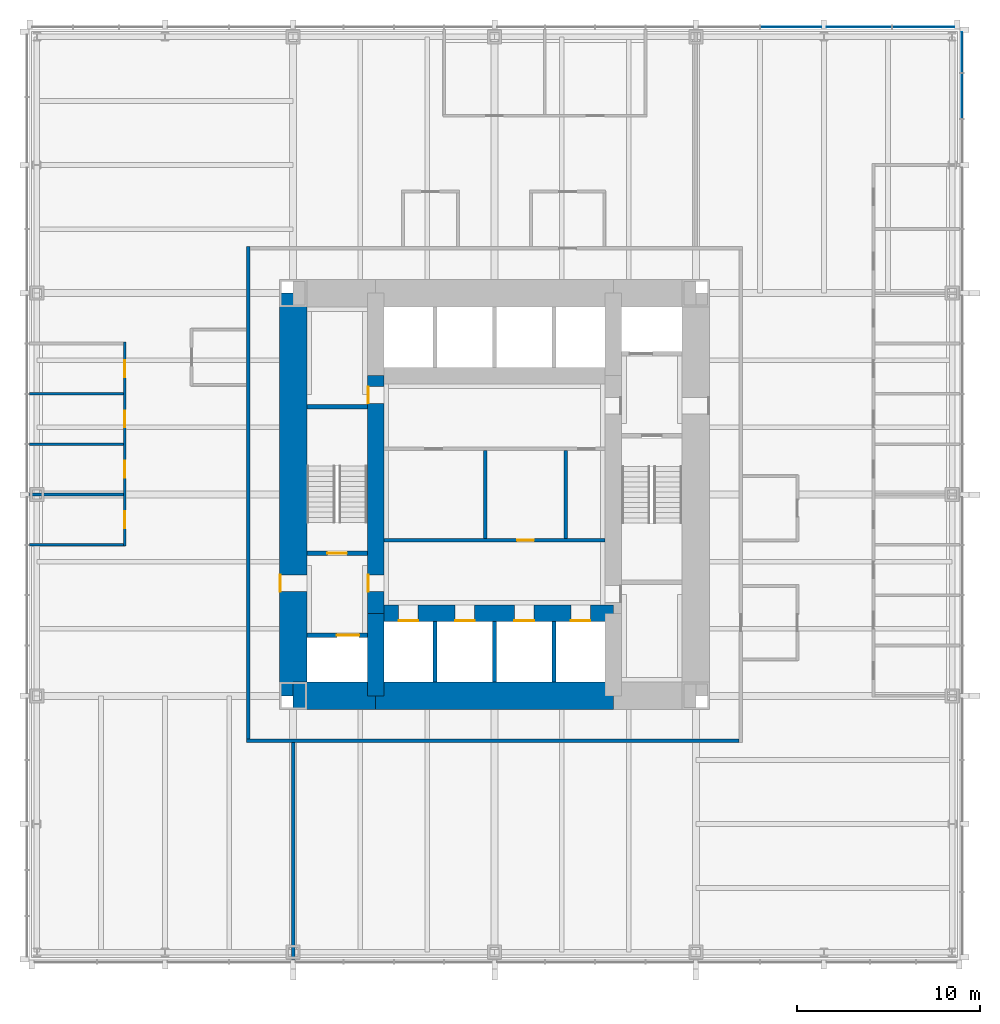
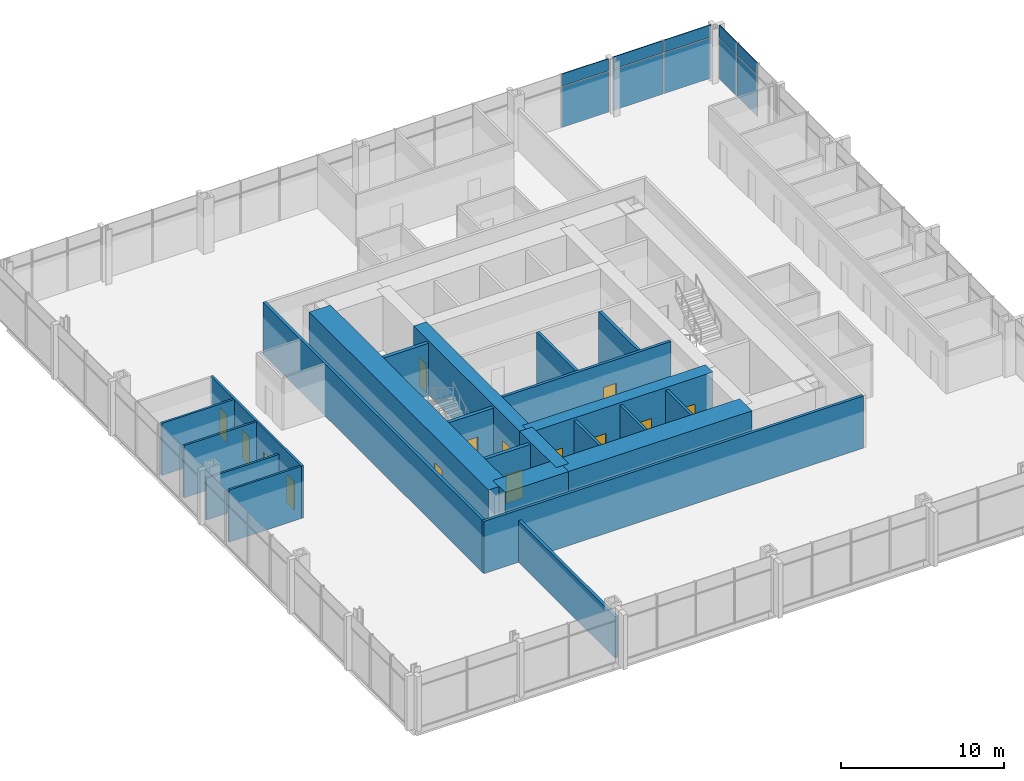
# One storey, part 9 of 12: 23 walls, 14 doors, 10 plates, 14 openings, 2 elements without a shape of their own.
"""IFC4 building model written with IfcOpenShell, lengths in metres."""

from ifc_helpers import new_model, si_unit, direction, frame, frame_2d, origin, origin_2d, place, context, subcontext, project, spatial, rectangle, extrude, material, layer, layer_set, type_object, element, fill, aggregate, save


model = new_model("IFC4")

# Units and contexts
model_context = context("Model", 3, precision=1e-05, world=origin(), true_north=direction((0.0, 1.0)))
body_context = subcontext(model_context, "Body", "Model", "MODEL_VIEW")
ifc_project = project(units=[si_unit("LENGTHUNIT", "METRE"), si_unit("AREAUNIT", "SQUARE_METRE"), si_unit("VOLUMEUNIT", "CUBIC_METRE"), si_unit("PLANEANGLEUNIT", "RADIAN"), si_unit("MASSUNIT", "GRAM", prefix="KILO")], contexts=[model_context])

# Site, building, storey
site_placement = place(None, origin())
site = spatial("IfcSite", under=ifc_project, at=site_placement, CompositionType="ELEMENT")
building_placement = place(site_placement, origin())
building = spatial("IfcBuilding", under=site, at=building_placement, Name="Trevanion Tower", CompositionType="ELEMENT")
storey_placement = place(building_placement, frame((0.0, 0.0, 52.89990234375)))
storey = spatial("IfcBuildingStorey", under=building, at=storey_placement, Name="L12", CompositionType="ELEMENT", Elevation=52.89990234375)

# Curtain wall, plates
ifc_material_1 = material(Name="Aluminium and glass", Category="aluminium")
curtain_wall_type = type_object("IfcCurtainWallType", Name="CW1 curtain wall", PredefinedType="USERDEFINED", material=ifc_material_1)
curtain_wall_1_placement = place(storey_placement, origin())
curtain_wall_1 = element("IfcCurtainWall", 1, at=curtain_wall_1_placement, inside=storey, type_object=curtain_wall_type, Name="CW1 L12 0", ObjectType="UNITISED CURTAIN WALL", PredefinedType="USERDEFINED")
ifc_material_2 = material(Name="Aluminium spandrel panel", Category="aluminium")
ifc_layer_1 = layer(ifc_material_2, 0.06005859375)
ifc_layer_set_1 = layer_set([ifc_layer_1], Name="CW1 spandrel panel")
plate_type_1 = type_object("IfcPlateType", Name="CW1 spandrel panel", PredefinedType="CURTAIN_PANEL", material=ifc_layer_set_1)
plate_1_placement = place(storey_placement, frame((25.550048828125, 21.77490234375, 2.99755859375), z_axis=(0.0, 0.0, 1.0), x_axis=(0.0, 1.0, 0.0)))
plate_1 = element("IfcPlate", 2, at=plate_1_placement, type_object=plate_type_1, Name="CW1 panel 16.2", PredefinedType="CURTAIN_PANEL", context=body_context, shape_type="SweptSolid", body=[
    extrude(rectangle(XDim=2.441650390625, YDim=0.06005859375, at=origin_2d()), origin(), (0.0, 0.0, 1.0), 0.91259765625),
])
plate_2_placement = place(storey_placement, frame((25.550048828125, 24.160400390625, 2.99755859375), z_axis=(0.0, 0.0, 1.0), x_axis=(0.0, 1.0, 0.0)))
plate_2 = element("IfcPlate", 3, at=plate_2_placement, type_object=plate_type_1, Name="CW1 panel 17.2", PredefinedType="CURTAIN_PANEL", context=body_context, shape_type="SweptSolid", body=[
    extrude(rectangle(XDim=2.17919921875, YDim=0.06005859375, at=origin_2d()), origin(), (0.0, 0.0, 1.0), 0.91259765625),
])

curtain_wall_2_placement = place(storey_placement, origin())
curtain_wall_2 = element("IfcCurtainWall", 4, at=curtain_wall_2_placement, inside=storey, type_object=curtain_wall_type, Name="CW1 L12 1", ObjectType="UNITISED CURTAIN WALL", PredefinedType="USERDEFINED")
plate_3_placement = place(storey_placement, frame((23.433837890625, 25.550048828125, 2.99755859375), z_axis=(0.0, 0.0, 1.0), x_axis=(-1.0, 0.0, 0.0)))
plate_3 = element("IfcPlate", 5, at=plate_3_placement, type_object=plate_type_1, Name="CW1 panel 1.2", PredefinedType="CURTAIN_PANEL", context=body_context, shape_type="SweptSolid", body=[
    extrude(rectangle(XDim=3.37255859375, YDim=0.06005859375, at=origin_2d()), origin(), (0.0, 0.0, 1.0), 0.91259765625),
])
plate_4_placement = place(storey_placement, frame((19.911376953125, 25.550048828125, 2.99755859375), z_axis=(0.0, 0.0, 1.0), x_axis=(-1.0, 0.0, 0.0)))
plate_4 = element("IfcPlate", 6, at=plate_4_placement, type_object=plate_type_1, Name="CW1 panel 2.2", PredefinedType="CURTAIN_PANEL", context=body_context, shape_type="SweptSolid", body=[
    extrude(rectangle(XDim=3.5224609375, YDim=0.06005859375, at=origin_2d()), origin(), (0.0, 0.0, 1.0), 0.91259765625),
])
plate_5_placement = place(storey_placement, frame((16.19384765625, 25.550048828125, 2.99755859375), z_axis=(0.0, 0.0, 1.0), x_axis=(-1.0, 0.0, 0.0)))
plate_5 = element("IfcPlate", 7, at=plate_5_placement, type_object=plate_type_1, Name="CW1 panel 3.2", PredefinedType="CURTAIN_PANEL", context=body_context, shape_type="SweptSolid", body=[
    extrude(rectangle(XDim=3.3125, YDim=0.06005859375, at=origin_2d()), origin(), (0.0, 0.0, 1.0), 0.91259765625),
])

# Plate
ifc_material_3 = material(Name="Insulating glass unit", Category="glass")
ifc_layer_2 = layer(ifc_material_3, 0.028076171875)
ifc_layer_set_2 = layer_set([ifc_layer_2], Name="CW1 vision panel")
plate_type_2 = type_object("IfcPlateType", Name="CW1 vision panel", PredefinedType="CURTAIN_PANEL", material=ifc_layer_set_2)
plate_6_placement = place(storey_placement, frame((25.550048828125, 21.77490234375, -0.114990234375), z_axis=(0.0, 0.0, 1.0), x_axis=(0.0, 1.0, 0.0)))
plate_6 = element("IfcPlate", 8, at=plate_6_placement, type_object=plate_type_2, Name="CW1 panel 16.1", PredefinedType="CURTAIN_PANEL", context=body_context, shape_type="SweptSolid", body=[
    extrude(rectangle(XDim=2.441650390625, YDim=0.028076171875, at=origin_2d()), origin(), (0.0, 0.0, 1.0), 3.03759765625),
])

plate_7_placement = place(storey_placement, frame((25.550048828125, 24.160400390625, -0.114990234375), z_axis=(0.0, 0.0, 1.0), x_axis=(0.0, 1.0, 0.0)))
plate_7 = element("IfcPlate", 9, at=plate_7_placement, type_object=plate_type_2, Name="CW1 panel 17.1", PredefinedType="CURTAIN_PANEL", context=body_context, shape_type="SweptSolid", body=[
    extrude(rectangle(XDim=2.17919921875, YDim=0.028076171875, at=origin_2d()), origin(), (0.0, 0.0, 1.0), 3.03759765625),
])

aggregate(curtain_wall_1, [plate_6, plate_1, plate_7, plate_2])

plate_8_placement = place(storey_placement, frame((23.433837890625, 25.550048828125, -0.114990234375), z_axis=(0.0, 0.0, 1.0), x_axis=(-1.0, 0.0, 0.0)))
plate_8 = element("IfcPlate", 10, at=plate_8_placement, type_object=plate_type_2, Name="CW1 panel 1.1", PredefinedType="CURTAIN_PANEL", context=body_context, shape_type="SweptSolid", body=[
    extrude(rectangle(XDim=3.37255859375, YDim=0.028076171875, at=origin_2d()), origin(), (0.0, 0.0, 1.0), 3.03759765625),
])

plate_9_placement = place(storey_placement, frame((19.911376953125, 25.550048828125, -0.114990234375), z_axis=(0.0, 0.0, 1.0), x_axis=(-1.0, 0.0, 0.0)))
plate_9 = element("IfcPlate", 11, at=plate_9_placement, type_object=plate_type_2, Name="CW1 panel 2.1", PredefinedType="CURTAIN_PANEL", context=body_context, shape_type="SweptSolid", body=[
    extrude(rectangle(XDim=3.5224609375, YDim=0.028076171875, at=origin_2d()), origin(), (0.0, 0.0, 1.0), 3.03759765625),
])

plate_10_placement = place(storey_placement, frame((16.19384765625, 25.550048828125, -0.114990234375), z_axis=(0.0, 0.0, 1.0), x_axis=(-1.0, 0.0, 0.0)))
plate_10 = element("IfcPlate", 12, at=plate_10_placement, type_object=plate_type_2, Name="CW1 panel 3.1", PredefinedType="CURTAIN_PANEL", context=body_context, shape_type="SweptSolid", body=[
    extrude(rectangle(XDim=3.3125, YDim=0.028076171875, at=origin_2d()), origin(), (0.0, 0.0, 1.0), 3.03759765625),
])

aggregate(curtain_wall_2, [plate_8, plate_3, plate_9, plate_4, plate_10, plate_5])

# Wall, opening, door
ifc_material_4 = material(Name="Concrete 10,000 psi", Category="concrete")
ifc_layer_3 = layer(ifc_material_4, 1.5)
ifc_layer_set_3 = layer_set([ifc_layer_3], Name="CW1 core wall 1500")
wall_type_1 = type_object("IfcWallType", Name="CW1 core wall 1500", PredefinedType="SHEAR", material=ifc_layer_set_3)
wall_1_placement = place(storey_placement, frame((-11.0, 11.0, 0.0), z_axis=(0.0, 0.0, 1.0), x_axis=(0.0, -1.0, 0.0)))
wall_1 = element("IfcWall", 13, at=wall_1_placement, inside=storey, type_object=wall_type_1, Name="CW1 CW L12", PredefinedType="SHEAR", context=body_context, shape_type="SweptSolid", body=[
    extrude(rectangle(XDim=22.0, YDim=1.5, at=frame_2d((11.0, 0.0))), origin(), (0.0, 0.0, 1.0), 4.10009765625),
])
opening_1_placement = place(wall_1_placement, frame((15.392578125, 0.0, 0.0)))
opening_1 = element("IfcOpeningElement", 14, at=opening_1_placement, cuts=wall_1, Name="Opening 12-002", PredefinedType="OPENING", context=body_context, shape_type="SweptSolid", body=[
    extrude(rectangle(XDim=0.9150390625, YDim=2.134033203125, at=frame_2d((0.45751953125, 1.06689453125))), frame((0.0, 0.760009765625, 0.0), z_axis=(0.0, -1.0, 0.0), x_axis=(1.0, 0.0, 0.0)), (0.0, 0.0, 1.0), 1.52001953125),
])
ifc_material_5 = material(Name="Hollow metal, fire rated", Category="steel")
door_type_1 = type_object("IfcDoorType", Name="D3 fire lift lobby door", OperationType="SINGLE_SWING_RIGHT", PredefinedType="DOOR", material=ifc_material_5)
door_1_placement = place(opening_1_placement, origin())
door_1 = element("IfcDoor", 15, at=door_1_placement, inside=storey, type_object=door_type_1, Name="Door 12-002", OperationType="SINGLE_SWING_RIGHT", OverallHeight=2.134033203125, OverallWidth=0.9150390625, PredefinedType="DOOR", context=body_context, shape_type="SweptSolid", body=[
    extrude(rectangle(XDim=0.9150390625, YDim=2.134033203125, at=frame_2d((0.45751953125, 1.06689453125))), frame((0.0, -0.6748046875, 0.0), z_axis=(0.0, -1.0, 0.0), x_axis=(1.0, 0.0, 0.0)), (0.0, 0.0, 1.0), 0.050048828125),
])
fill(opening_1, door_1)

# Walls
wall_2_placement = place(storey_placement, frame((-11.0, -11.0, 0.0), z_axis=(0.0, 0.0, 1.0), x_axis=(1.0, 0.0, 0.0)))
element("IfcWall", 16, at=wall_2_placement, inside=storey, type_object=wall_type_1, Name="CW1 CS1 L12", PredefinedType="SHEAR", context=body_context, shape_type="SweptSolid", body=[
    extrude(rectangle(XDim=4.5, YDim=1.5, at=frame_2d((2.25, 0.0))), origin(), (0.0, 0.0, 1.0), 4.10009765625),
])
wall_3_placement = place(storey_placement, frame((-6.5, -11.0, 0.0), z_axis=(0.0, 0.0, 1.0), x_axis=(1.0, 0.0, 0.0)))
element("IfcWall", 17, at=wall_3_placement, inside=storey, type_object=wall_type_1, Name="CW1 CS2 L12", PredefinedType="SHEAR", context=body_context, shape_type="SweptSolid", body=[
    extrude(rectangle(XDim=13.0, YDim=1.5, at=frame_2d((6.5, 0.0))), origin(), (0.0, 0.0, 1.0), 4.10009765625),
])

# Wall, openings, doors
ifc_material_6 = material(Name="Concrete 10,000 psi", Category="concrete")
ifc_layer_4 = layer(ifc_material_6, 0.89990234375)
ifc_layer_set_4 = layer_set([ifc_layer_4], Name="CW2 core wall 900")
wall_type_2 = type_object("IfcWallType", Name="CW2 core wall 900", PredefinedType="SHEAR", material=ifc_layer_set_4)
wall_4_placement = place(storey_placement, frame((-6.5, 6.5, 0.0), z_axis=(0.0, 0.0, 1.0), x_axis=(0.0, -1.0, 0.0)))
wall_4 = element("IfcWall", 18, at=wall_4_placement, inside=storey, type_object=wall_type_2, Name="CW2 RW2 L12", PredefinedType="SHEAR", context=body_context, shape_type="SweptSolid", body=[
    extrude(rectangle(XDim=13.0, YDim=0.89990234375, at=frame_2d((6.5, 0.0))), origin(), (0.0, 0.0, 1.0), 4.10009765625),
])
opening_2_placement = place(wall_4_placement, frame((10.892578125, 0.0, 0.0)))
opening_2 = element("IfcOpeningElement", 19, at=opening_2_placement, cuts=wall_4, Name="Opening 12-004", PredefinedType="OPENING", context=body_context, shape_type="SweptSolid", body=[
    extrude(rectangle(XDim=0.9150390625, YDim=2.134033203125, at=frame_2d((0.45751953125, 1.06689453125))), frame((0.0, 0.4599609375, 0.0), z_axis=(0.0, -1.0, 0.0), x_axis=(1.0, 0.0, 0.0)), (0.0, 0.0, 1.0), 0.919921875),
])
opening_3_placement = place(wall_4_placement, frame((0.610107421875, 0.0, 0.0)))
opening_3 = element("IfcOpeningElement", 20, at=opening_3_placement, cuts=wall_4, Name="Opening 12-010", PredefinedType="OPENING", context=body_context, shape_type="SweptSolid", body=[
    extrude(rectangle(XDim=0.9150390625, YDim=2.134033203125, at=frame_2d((0.45751953125, 1.06689453125))), frame((0.0, 0.4599609375, 0.0), z_axis=(0.0, -1.0, 0.0), x_axis=(1.0, 0.0, 0.0)), (0.0, 0.0, 1.0), 0.919921875),
])
door_2_placement = place(opening_2_placement, origin())
door_2 = element("IfcDoor", 21, at=door_2_placement, inside=storey, type_object=door_type_1, Name="Door 12-004", OperationType="SINGLE_SWING_RIGHT", OverallHeight=2.134033203125, OverallWidth=0.9150390625, PredefinedType="DOOR", context=body_context, shape_type="SweptSolid", body=[
    extrude(rectangle(XDim=0.9150390625, YDim=2.134033203125, at=frame_2d((0.45751953125, 1.06689453125))), frame((0.0, -0.375, 0.0), z_axis=(0.0, -1.0, 0.0), x_axis=(1.0, 0.0, 0.0)), (0.0, 0.0, 1.0), 0.050048828125),
])
fill(opening_2, door_2)
ifc_material_7 = material(Name="Hollow metal, fire rated", Category="steel")
door_type_2 = type_object("IfcDoorType", Name="D5 service room door", OperationType="SINGLE_SWING_RIGHT", PredefinedType="DOOR", material=ifc_material_7)
door_3_placement = place(opening_3_placement, origin())
door_3 = element("IfcDoor", 22, at=door_3_placement, inside=storey, type_object=door_type_2, Name="Door 12-010", OperationType="SINGLE_SWING_RIGHT", OverallHeight=2.134033203125, OverallWidth=0.9150390625, PredefinedType="DOOR", context=body_context, shape_type="SweptSolid", body=[
    extrude(rectangle(XDim=0.9150390625, YDim=2.134033203125, at=frame_2d((0.45751953125, 1.06689453125))), frame((0.0, -0.375, 0.0), z_axis=(0.0, -1.0, 0.0), x_axis=(1.0, 0.0, 0.0)), (0.0, 0.0, 1.0), 0.050048828125),
])
fill(opening_3, door_3)

# Wall
wall_5_placement = place(storey_placement, frame((-6.5, -6.5, 0.0), z_axis=(0.0, 0.0, 1.0), x_axis=(0.0, -1.0, 0.0)))
element("IfcWall", 23, at=wall_5_placement, inside=storey, type_object=wall_type_2, Name="CW2 RW3 L12", PredefinedType="SHEAR", context=body_context, shape_type="SweptSolid", body=[
    extrude(rectangle(XDim=4.5, YDim=0.89990234375, at=frame_2d((2.25, 0.0))), origin(), (0.0, 0.0, 1.0), 4.10009765625),
])

# Wall, openings, doors
wall_6_placement = place(storey_placement, frame((-6.5, -6.5, 0.0), z_axis=(0.0, 0.0, 1.0), x_axis=(1.0, 0.0, 0.0)))
wall_6 = element("IfcWall", 24, at=wall_6_placement, inside=storey, type_object=wall_type_2, Name="CW2 RS L12", PredefinedType="SHEAR", context=body_context, shape_type="SweptSolid", body=[
    extrude(rectangle(XDim=13.0, YDim=0.89990234375, at=frame_2d((6.5, 0.0))), origin(), (0.0, 0.0, 1.0), 4.10009765625),
])
opening_4_placement = place(wall_6_placement, frame((1.2666015625, 0.0, 0.0)))
opening_4 = element("IfcOpeningElement", 25, at=opening_4_placement, cuts=wall_6, Name="Opening 12-011", PredefinedType="OPENING", context=body_context, shape_type="SweptSolid", body=[
    extrude(rectangle(XDim=1.06689453125, YDim=2.134033203125, at=frame_2d((0.533447265625, 1.06689453125))), frame((0.0, 0.4599609375, 0.0), z_axis=(0.0, -1.0, 0.0), x_axis=(1.0, 0.0, 0.0)), (0.0, 0.0, 1.0), 0.919921875),
])
opening_5_placement = place(wall_6_placement, frame((4.341552734375, 0.0, 0.0)))
opening_5 = element("IfcOpeningElement", 26, at=opening_5_placement, cuts=wall_6, Name="Opening 12-012", PredefinedType="OPENING", context=body_context, shape_type="SweptSolid", body=[
    extrude(rectangle(XDim=1.06689453125, YDim=2.134033203125, at=frame_2d((0.533447265625, 1.06689453125))), frame((0.0, 0.4599609375, 0.0), z_axis=(0.0, -1.0, 0.0), x_axis=(1.0, 0.0, 0.0)), (0.0, 0.0, 1.0), 0.919921875),
])
opening_6_placement = place(wall_6_placement, frame((7.591552734375, 0.0, 0.0)))
opening_6 = element("IfcOpeningElement", 27, at=opening_6_placement, cuts=wall_6, Name="Opening 12-013", PredefinedType="OPENING", context=body_context, shape_type="SweptSolid", body=[
    extrude(rectangle(XDim=1.06689453125, YDim=2.134033203125, at=frame_2d((0.533447265625, 1.06689453125))), frame((0.0, 0.4599609375, 0.0), z_axis=(0.0, -1.0, 0.0), x_axis=(1.0, 0.0, 0.0)), (0.0, 0.0, 1.0), 0.919921875),
])
opening_7_placement = place(wall_6_placement, frame((10.66650390625, 0.0, 0.0)))
opening_7 = element("IfcOpeningElement", 28, at=opening_7_placement, cuts=wall_6, Name="Opening 12-014", PredefinedType="OPENING", context=body_context, shape_type="SweptSolid", body=[
    extrude(rectangle(XDim=1.06689453125, YDim=2.134033203125, at=frame_2d((0.533447265625, 1.06689453125))), frame((0.0, 0.4599609375, 0.0), z_axis=(0.0, -1.0, 0.0), x_axis=(1.0, 0.0, 0.0)), (0.0, 0.0, 1.0), 0.919921875),
])
ifc_material_8 = material(Name="Stainless steel, fire rated", Category="steel")
door_type_3 = type_object("IfcDoorType", Name="LD1 lift landing door", OperationType="SLIDING_TO_LEFT", PredefinedType="DOOR", material=ifc_material_8)
door_4_placement = place(opening_4_placement, origin())
door_4 = element("IfcDoor", 29, at=door_4_placement, inside=storey, type_object=door_type_3, Name="Door 12-011", OperationType="SLIDING_TO_LEFT", OverallHeight=2.134033203125, OverallWidth=1.06689453125, PredefinedType="DOOR", context=body_context, shape_type="SweptSolid", body=[
    extrude(rectangle(XDim=1.06689453125, YDim=2.134033203125, at=frame_2d((0.533447265625, 1.06689453125))), frame((0.0, -0.375, 0.0), z_axis=(0.0, -1.0, 0.0), x_axis=(1.0, 0.0, 0.0)), (0.0, 0.0, 1.0), 0.050048828125),
])
fill(opening_4, door_4)
door_5_placement = place(opening_5_placement, origin())
door_5 = element("IfcDoor", 30, at=door_5_placement, inside=storey, type_object=door_type_3, Name="Door 12-012", OperationType="SLIDING_TO_LEFT", OverallHeight=2.134033203125, OverallWidth=1.06689453125, PredefinedType="DOOR", context=body_context, shape_type="SweptSolid", body=[
    extrude(rectangle(XDim=1.06689453125, YDim=2.134033203125, at=frame_2d((0.533447265625, 1.06689453125))), frame((0.0, -0.375, 0.0), z_axis=(0.0, -1.0, 0.0), x_axis=(1.0, 0.0, 0.0)), (0.0, 0.0, 1.0), 0.050048828125),
])
fill(opening_5, door_5)
door_6_placement = place(opening_6_placement, origin())
door_6 = element("IfcDoor", 31, at=door_6_placement, inside=storey, type_object=door_type_3, Name="Door 12-013", OperationType="SLIDING_TO_LEFT", OverallHeight=2.134033203125, OverallWidth=1.06689453125, PredefinedType="DOOR", context=body_context, shape_type="SweptSolid", body=[
    extrude(rectangle(XDim=1.06689453125, YDim=2.134033203125, at=frame_2d((0.533447265625, 1.06689453125))), frame((0.0, -0.375, 0.0), z_axis=(0.0, -1.0, 0.0), x_axis=(1.0, 0.0, 0.0)), (0.0, 0.0, 1.0), 0.050048828125),
])
fill(opening_6, door_6)
door_7_placement = place(opening_7_placement, origin())
door_7 = element("IfcDoor", 32, at=door_7_placement, inside=storey, type_object=door_type_3, Name="Door 12-014", OperationType="SLIDING_TO_LEFT", OverallHeight=2.134033203125, OverallWidth=1.06689453125, PredefinedType="DOOR", context=body_context, shape_type="SweptSolid", body=[
    extrude(rectangle(XDim=1.06689453125, YDim=2.134033203125, at=frame_2d((0.533447265625, 1.06689453125))), frame((0.0, -0.375, 0.0), z_axis=(0.0, -1.0, 0.0), x_axis=(1.0, 0.0, 0.0)), (0.0, 0.0, 1.0), 0.050048828125),
])
fill(opening_7, door_7)

ifc_material_9 = material(Name="Gypsum board on steel studs", Category="steel")
ifc_layer_5 = layer(ifc_material_9, 0.14990234375)
ifc_layer_set_5 = layer_set([ifc_layer_5], Name="PT1 partition 150")
wall_type_3 = type_object("IfcWallType", Name="PT1 partition 150", PredefinedType="PARTITIONING", material=ifc_layer_set_5)
wall_7_placement = place(storey_placement, frame((-20.199951171875, 8.324951171875, 0.0), z_axis=(0.0, 0.0, 1.0), x_axis=(0.0, -1.0, 0.0)))
wall_7 = element("IfcWall", 33, at=wall_7_placement, inside=storey, type_object=wall_type_3, Name="PT1 L12 FC2F", PredefinedType="PARTITIONING", context=body_context, shape_type="SweptSolid", body=[
    extrude(rectangle(XDim=11.14990234375, YDim=0.14990234375, at=frame_2d((5.574951171875, 0.0))), origin(), (0.0, 0.0, 1.0), 3.91015625),
])
opening_8_placement = place(wall_7_placement, frame((0.992431640625, 0.0, 0.0)))
opening_8 = element("IfcOpeningElement", 34, at=opening_8_placement, cuts=wall_7, Name="Opening 12-028", PredefinedType="OPENING", context=body_context, shape_type="SweptSolid", body=[
    extrude(rectangle(XDim=0.9150390625, YDim=2.134033203125, at=frame_2d((0.45751953125, 1.06689453125))), frame((0.0, 0.0849609375, 0.0), z_axis=(0.0, -1.0, 0.0), x_axis=(1.0, 0.0, 0.0)), (0.0, 0.0, 1.0), 0.169921875),
])
opening_9_placement = place(wall_7_placement, frame((3.742431640625, 0.0, 0.0)))
opening_9 = element("IfcOpeningElement", 35, at=opening_9_placement, cuts=wall_7, Name="Opening 12-029", PredefinedType="OPENING", context=body_context, shape_type="SweptSolid", body=[
    extrude(rectangle(XDim=0.9150390625, YDim=2.134033203125, at=frame_2d((0.45751953125, 1.06689453125))), frame((0.0, 0.0849609375, 0.0), z_axis=(0.0, -1.0, 0.0), x_axis=(1.0, 0.0, 0.0)), (0.0, 0.0, 1.0), 0.169921875),
])
opening_10_placement = place(wall_7_placement, frame((6.492431640625, 0.0, 0.0)))
opening_10 = element("IfcOpeningElement", 36, at=opening_10_placement, cuts=wall_7, Name="Opening 12-030", PredefinedType="OPENING", context=body_context, shape_type="SweptSolid", body=[
    extrude(rectangle(XDim=0.9150390625, YDim=2.134033203125, at=frame_2d((0.45751953125, 1.06689453125))), frame((0.0, 0.0849609375, 0.0), z_axis=(0.0, -1.0, 0.0), x_axis=(1.0, 0.0, 0.0)), (0.0, 0.0, 1.0), 0.169921875),
])
opening_11_placement = place(wall_7_placement, frame((9.242431640625, 0.0, 0.0)))
opening_11 = element("IfcOpeningElement", 37, at=opening_11_placement, cuts=wall_7, Name="Opening 12-031", PredefinedType="OPENING", context=body_context, shape_type="SweptSolid", body=[
    extrude(rectangle(XDim=0.9150390625, YDim=2.134033203125, at=frame_2d((0.45751953125, 1.06689453125))), frame((0.0, 0.0849609375, 0.0), z_axis=(0.0, -1.0, 0.0), x_axis=(1.0, 0.0, 0.0)), (0.0, 0.0, 1.0), 0.169921875),
])
ifc_material_10 = material(Name="Timber veneer, solid core", Category="wood")
door_type_4 = type_object("IfcDoorType", Name="D1 office and meeting room door", OperationType="SINGLE_SWING_LEFT", PredefinedType="DOOR", material=ifc_material_10)
door_8_placement = place(opening_8_placement, origin())
door_8 = element("IfcDoor", 38, at=door_8_placement, inside=storey, type_object=door_type_4, Name="Door 12-028", OperationType="SINGLE_SWING_LEFT", OverallHeight=2.134033203125, OverallWidth=0.9150390625, PredefinedType="DOOR", context=body_context, shape_type="SweptSolid", body=[
    extrude(rectangle(XDim=0.9150390625, YDim=2.134033203125, at=frame_2d((0.45751953125, 1.06689453125))), frame((0.0, 0.02490234375, 0.0), z_axis=(0.0, -1.0, 0.0), x_axis=(1.0, 0.0, 0.0)), (0.0, 0.0, 1.0), 0.050048828125),
])
fill(opening_8, door_8)
door_9_placement = place(opening_9_placement, origin())
door_9 = element("IfcDoor", 39, at=door_9_placement, inside=storey, type_object=door_type_4, Name="Door 12-029", OperationType="SINGLE_SWING_LEFT", OverallHeight=2.134033203125, OverallWidth=0.9150390625, PredefinedType="DOOR", context=body_context, shape_type="SweptSolid", body=[
    extrude(rectangle(XDim=0.9150390625, YDim=2.134033203125, at=frame_2d((0.45751953125, 1.06689453125))), frame((0.0, 0.02490234375, 0.0), z_axis=(0.0, -1.0, 0.0), x_axis=(1.0, 0.0, 0.0)), (0.0, 0.0, 1.0), 0.050048828125),
])
fill(opening_9, door_9)
door_10_placement = place(opening_10_placement, origin())
door_10 = element("IfcDoor", 40, at=door_10_placement, inside=storey, type_object=door_type_4, Name="Door 12-030", OperationType="SINGLE_SWING_LEFT", OverallHeight=2.134033203125, OverallWidth=0.9150390625, PredefinedType="DOOR", context=body_context, shape_type="SweptSolid", body=[
    extrude(rectangle(XDim=0.9150390625, YDim=2.134033203125, at=frame_2d((0.45751953125, 1.06689453125))), frame((0.0, 0.02490234375, 0.0), z_axis=(0.0, -1.0, 0.0), x_axis=(1.0, 0.0, 0.0)), (0.0, 0.0, 1.0), 0.050048828125),
])
fill(opening_10, door_10)
door_11_placement = place(opening_11_placement, origin())
door_11 = element("IfcDoor", 41, at=door_11_placement, inside=storey, type_object=door_type_4, Name="Door 12-031", OperationType="SINGLE_SWING_LEFT", OverallHeight=2.134033203125, OverallWidth=0.9150390625, PredefinedType="DOOR", context=body_context, shape_type="SweptSolid", body=[
    extrude(rectangle(XDim=0.9150390625, YDim=2.134033203125, at=frame_2d((0.45751953125, 1.06689453125))), frame((0.0, 0.02490234375, 0.0), z_axis=(0.0, -1.0, 0.0), x_axis=(1.0, 0.0, 0.0)), (0.0, 0.0, 1.0), 0.050048828125),
])
fill(opening_11, door_11)

# Walls
for number, where, z_axis, x_axis, name in (
    (42, (-20.27490234375, 5.5, 0.0), (0.0, 0.0, 1.0), (-1.0, 0.0, 0.0), "PT1 L12 FC2S1"),
    (43, (-20.27490234375, 2.75, 0.0), (0.0, 0.0, 1.0), (-1.0, 0.0, 0.0), "PT1 L12 FC2S2"),
):
    element("IfcWall", number, at=place(storey_placement, frame(where, z_axis=z_axis, x_axis=x_axis)), inside=storey, type_object=wall_type_3, Name=name, PredefinedType="PARTITIONING", context=body_context, shape_type="SweptSolid", body=[
        extrude(rectangle(XDim=5.14013671875, YDim=0.14990234375, at=frame_2d((2.570068359375, 0.0))), origin(), (0.0, 0.0, 1.0), 3.91015625),
    ])
wall_8_placement = place(storey_placement, frame((-20.27490234375, 0.0, 0.0), z_axis=(0.0, 0.0, 1.0), x_axis=(-1.0, 0.0, 0.0)))
element("IfcWall", 44, at=wall_8_placement, inside=storey, type_object=wall_type_3, Name="PT1 L12 FC2S3", PredefinedType="PARTITIONING", context=body_context, shape_type="SweptSolid", body=[
    extrude(rectangle(XDim=5.14013671875, YDim=0.14990234375, at=frame_2d((2.570068359375, 0.0))), origin(), (0.0, 0.0, 1.0), 3.13037109375),
])
wall_9_placement = place(storey_placement, frame((-20.27490234375, -2.75, 0.0), z_axis=(0.0, 0.0, 1.0), x_axis=(-1.0, 0.0, 0.0)))
element("IfcWall", 45, at=wall_9_placement, inside=storey, type_object=wall_type_3, Name="PT1 L12 FC2S4", PredefinedType="PARTITIONING", context=body_context, shape_type="SweptSolid", body=[
    extrude(rectangle(XDim=5.14013671875, YDim=0.14990234375, at=frame_2d((2.570068359375, 0.0))), origin(), (0.0, 0.0, 1.0), 3.91015625),
])
ifc_material_11 = material(Name="Concrete masonry, grouted", Category="masonry")
ifc_layer_6 = layer(ifc_material_11, 0.199951171875)
ifc_layer_set_6 = layer_set([ifc_layer_6], Name="PT2 partition 200")
wall_type_4 = type_object("IfcWallType", Name="PT2 partition 200", PredefinedType="PARTITIONING", material=ifc_layer_set_6)
for number, where, z_axis, x_axis, name in (
    (46, (-0.5, -2.39990234375, 0.0), (0.0, 0.0, 1.0), (0.0, 1.0, 0.0), "PT2 L12 TP1"),
    (47, (3.89990234375, -2.39990234375, 0.0), (0.0, 0.0, 1.0), (0.0, 1.0, 0.0), "PT2 L12 TP2"),
):
    element("IfcWall", number, at=place(storey_placement, frame(where, z_axis=z_axis, x_axis=x_axis)), inside=storey, type_object=wall_type_4, Name=name, PredefinedType="PARTITIONING", context=body_context, shape_type="SweptSolid", body=[
        extrude(rectangle(XDim=4.7998046875, YDim=0.199951171875, at=frame_2d((2.39990234375, 0.0))), origin(), (0.0, 0.0, 1.0), 3.91015625),
    ])

# Wall, opening, door
ifc_material_12 = material(Name="Concrete masonry, grouted", Category="masonry")
ifc_layer_7 = layer(ifc_material_12, 0.199951171875)
ifc_layer_set_7 = layer_set([ifc_layer_7], Name="PT2 partition 200 1 HR")
wall_type_5 = type_object("IfcWallType", Name="PT2 partition 200 1 HR", PredefinedType="PARTITIONING", material=ifc_layer_set_7)
wall_10_placement = place(storey_placement, frame((6.050048828125, -2.5, 0.0), z_axis=(0.0, 0.0, 1.0), x_axis=(-1.0, 0.0, 0.0)))
wall_10 = element("IfcWall", 48, at=wall_10_placement, inside=storey, type_object=wall_type_5, Name="PT2 L12 CP2", PredefinedType="PARTITIONING", context=body_context, shape_type="SweptSolid", body=[
    extrude(rectangle(XDim=12.10009765625, YDim=0.199951171875, at=frame_2d((6.050048828125, 0.0))), origin(), (0.0, 0.0, 1.0), 3.91015625),
])
opening_12_placement = place(wall_10_placement, frame((3.892578125, 0.0, 0.0)))
opening_12 = element("IfcOpeningElement", 49, at=opening_12_placement, cuts=wall_10, Name="Opening 12-016", PredefinedType="OPENING", context=body_context, shape_type="SweptSolid", body=[
    extrude(rectangle(XDim=0.9150390625, YDim=2.134033203125, at=frame_2d((0.45751953125, 1.06689453125))), frame((0.0, 0.10986328125, 0.0), z_axis=(0.0, -1.0, 0.0), x_axis=(1.0, 0.0, 0.0)), (0.0, 0.0, 1.0), 0.219970703125),
])
ifc_material_13 = material(Name="Plastic laminate on fire-rated core", Category="wood")
door_type_5 = type_object("IfcDoorType", Name="D12 toilet door in a one hour wall", OperationType="SINGLE_SWING_LEFT", PredefinedType="DOOR", material=ifc_material_13)
door_12_placement = place(opening_12_placement, origin())
door_12 = element("IfcDoor", 50, at=door_12_placement, inside=storey, type_object=door_type_5, Name="Door 12-016", OperationType="SINGLE_SWING_LEFT", OverallHeight=2.134033203125, OverallWidth=0.9150390625, PredefinedType="DOOR", context=body_context, shape_type="SweptSolid", body=[
    extrude(rectangle(XDim=0.9150390625, YDim=2.134033203125, at=frame_2d((0.45751953125, 1.06689453125))), frame((0.0, 0.02490234375, 0.0), z_axis=(0.0, -1.0, 0.0), x_axis=(1.0, 0.0, 0.0)), (0.0, 0.0, 1.0), 0.050048828125),
])
fill(opening_12, door_12)

# Walls
for number, where, z_axis, x_axis, name in (
    (51, (-13.449951171875, 13.550048828125, 0.0), (0.0, 0.0, 1.0), (0.0, -1.0, 0.0), "PT2 L12 OC2"),
    (52, (-13.550048828125, -13.449951171875, 0.0), (0.0, 0.0, 1.0), (1.0, 0.0, 0.0), "PT2 L12 OC3"),
):
    element("IfcWall", number, at=place(storey_placement, frame(where, z_axis=z_axis, x_axis=x_axis)), inside=storey, type_object=wall_type_5, Name=name, PredefinedType="PARTITIONING", context=body_context, shape_type="SweptSolid", body=[
        extrude(rectangle(XDim=26.900146484375, YDim=0.199951171875, at=frame_2d((13.4501953125, 0.0))), origin(), (0.0, 0.0, 1.0), 3.91015625),
    ])
wall_11_placement = place(storey_placement, frame((-11.0, -13.550048828125, 0.0), z_axis=(0.0, 0.0, 1.0), x_axis=(0.0, -1.0, 0.0)))
element("IfcWall", 53, at=wall_11_placement, inside=storey, type_object=wall_type_5, Name="PT2 L12 DM2", PredefinedType="PARTITIONING", context=body_context, shape_type="SweptSolid", body=[
    extrude(rectangle(XDim=11.864990234375, YDim=0.199951171875, at=frame_2d((5.9326171875, 0.0))), origin(), (0.0, 0.0, 1.0), 3.13037109375),
])
ifc_material_14 = material(Name="Concrete masonry, grouted", Category="masonry")
ifc_layer_8 = layer(ifc_material_14, 0.199951171875)
ifc_layer_set_8 = layer_set([ifc_layer_8], Name="PT2 partition 200 2 HR")
wall_type_6 = type_object("IfcWallType", Name="PT2 partition 200 2 HR", PredefinedType="PARTITIONING", material=ifc_layer_set_8)
for number, where, z_axis, x_axis, name in (
    (54, (-3.25, -10.25, 0.0), (0.0, 0.0, 1.0), (0.0, 1.0, 0.0), "PT2 L12 SS0"),
    (55, (0.0, -10.25, 0.0), (0.0, 0.0, 1.0), (0.0, 1.0, 0.0), "PT2 L12 SS1"),
    (56, (3.25, -10.25, 0.0), (0.0, 0.0, 1.0), (0.0, 1.0, 0.0), "PT2 L12 SS2"),
):
    element("IfcWall", number, at=place(storey_placement, frame(where, z_axis=z_axis, x_axis=x_axis)), inside=storey, type_object=wall_type_6, Name=name, PredefinedType="PARTITIONING", context=body_context, shape_type="SweptSolid", body=[
        extrude(rectangle(XDim=3.300048828125, YDim=0.199951171875, at=frame_2d((1.64990234375, 0.0))), origin(), (0.0, 0.0, 1.0), 3.91015625),
    ])

# Wall, opening, door
ifc_material_15 = material(Name="Concrete masonry, grouted, two-hour", Category="masonry")
ifc_layer_9 = layer(ifc_material_15, 0.25)
ifc_layer_set_9 = layer_set([ifc_layer_9], Name="PT3 partition 250 2 HR")
wall_type_7 = type_object("IfcWallType", Name="PT3 partition 250 2 HR", PredefinedType="PARTITIONING", material=ifc_layer_set_9)
wall_12_placement = place(storey_placement, frame((-6.949951171875, -7.699951171875, 0.0), z_axis=(0.0, 0.0, 1.0), x_axis=(-1.0, 0.0, 0.0)))
wall_12 = element("IfcWall", 57, at=wall_12_placement, inside=storey, type_object=wall_type_7, Name="PT3 L12 WP3", PredefinedType="PARTITIONING", context=body_context, shape_type="SweptSolid", body=[
    extrude(rectangle(XDim=3.300048828125, YDim=0.25, at=frame_2d((1.64990234375, 0.0))), origin(), (0.0, 0.0, 1.0), 3.91015625),
])
opening_13_placement = place(wall_12_placement, frame((0.449951171875, 0.0, 0.0)))
opening_13 = element("IfcOpeningElement", 58, at=opening_13_placement, cuts=wall_12, Name="Opening 12-008", PredefinedType="OPENING", context=body_context, shape_type="SweptSolid", body=[
    extrude(rectangle(XDim=1.218994140625, YDim=2.134033203125, at=frame_2d((0.609375, 1.06689453125))), frame((0.0, 0.135009765625, 0.0), z_axis=(0.0, -1.0, 0.0), x_axis=(1.0, 0.0, 0.0)), (0.0, 0.0, 1.0), 0.27001953125),
])
ifc_material_16 = material(Name="Stainless steel, fire rated", Category="steel")
door_type_6 = type_object("IfcDoorType", Name="LD2 fire service lift landing door", OperationType="SLIDING_TO_LEFT", PredefinedType="DOOR", material=ifc_material_16)
door_13_placement = place(opening_13_placement, origin())
door_13 = element("IfcDoor", 59, at=door_13_placement, inside=storey, type_object=door_type_6, Name="Door 12-008", OperationType="SLIDING_TO_LEFT", OverallHeight=2.134033203125, OverallWidth=1.218994140625, PredefinedType="DOOR", context=body_context, shape_type="SweptSolid", body=[
    extrude(rectangle(XDim=1.218994140625, YDim=2.134033203125, at=frame_2d((0.609375, 1.06689453125))), frame((0.0, 0.02490234375, 0.0), z_axis=(0.0, -1.0, 0.0), x_axis=(1.0, 0.0, 0.0)), (0.0, 0.0, 1.0), 0.050048828125),
])
fill(opening_13, door_13)

# Wall
ifc_material_17 = material(Name="Reinforced masonry, fully grouted", Category="masonry")
ifc_layer_10 = layer(ifc_material_17, 0.25)
ifc_layer_set_10 = layer_set([ifc_layer_10], Name="SW1 stair shaft wall 250")
wall_type_8 = type_object("IfcWallType", Name="SW1 stair shaft wall 250", PredefinedType="SOLIDWALL", material=ifc_layer_set_10)
wall_13_placement = place(storey_placement, frame((-6.949951171875, 4.800048828125, 0.0), z_axis=(0.0, 0.0, 1.0), x_axis=(-1.0, 0.0, 0.0)))
element("IfcWall", 60, at=wall_13_placement, inside=storey, type_object=wall_type_8, Name="SW1 L12 WP1", PredefinedType="SOLIDWALL", context=body_context, shape_type="SweptSolid", body=[
    extrude(rectangle(XDim=3.300048828125, YDim=0.25, at=frame_2d((1.64990234375, 0.0))), origin(), (0.0, 0.0, 1.0), 3.91015625),
])

# Wall, opening, door
wall_14_placement = place(storey_placement, frame((-6.949951171875, -3.199951171875, 0.0), z_axis=(0.0, 0.0, 1.0), x_axis=(-1.0, 0.0, 0.0)))
wall_14 = element("IfcWall", 61, at=wall_14_placement, inside=storey, type_object=wall_type_8, Name="SW1 L12 WP2", PredefinedType="SOLIDWALL", context=body_context, shape_type="SweptSolid", body=[
    extrude(rectangle(XDim=3.300048828125, YDim=0.25, at=frame_2d((1.64990234375, 0.0))), origin(), (0.0, 0.0, 1.0), 3.91015625),
])
opening_14_placement = place(wall_14_placement, frame((1.116455078125, 0.0, 0.0)))
opening_14 = element("IfcOpeningElement", 62, at=opening_14_placement, cuts=wall_14, Name="Opening 12-006", PredefinedType="OPENING", context=body_context, shape_type="SweptSolid", body=[
    extrude(rectangle(XDim=1.06689453125, YDim=2.134033203125, at=frame_2d((0.533447265625, 1.06689453125))), frame((0.0, 0.135009765625, 0.0), z_axis=(0.0, -1.0, 0.0), x_axis=(1.0, 0.0, 0.0)), (0.0, 0.0, 1.0), 0.27001953125),
])
ifc_material_18 = material(Name="Hollow metal, fire rated", Category="steel")
door_type_7 = type_object("IfcDoorType", Name="D2 exit stair door", OperationType="SINGLE_SWING_LEFT", PredefinedType="DOOR", material=ifc_material_18)
door_14_placement = place(opening_14_placement, origin())
door_14 = element("IfcDoor", 63, at=door_14_placement, inside=storey, type_object=door_type_7, Name="Door 12-006", OperationType="SINGLE_SWING_LEFT", OverallHeight=2.134033203125, OverallWidth=1.06689453125, PredefinedType="DOOR", context=body_context, shape_type="SweptSolid", body=[
    extrude(rectangle(XDim=1.06689453125, YDim=2.134033203125, at=frame_2d((0.533447265625, 1.06689453125))), frame((0.0, 0.02490234375, 0.0), z_axis=(0.0, -1.0, 0.0), x_axis=(1.0, 0.0, 0.0)), (0.0, 0.0, 1.0), 0.050048828125),
])
fill(opening_14, door_14)

save(model, "model.ifc")
